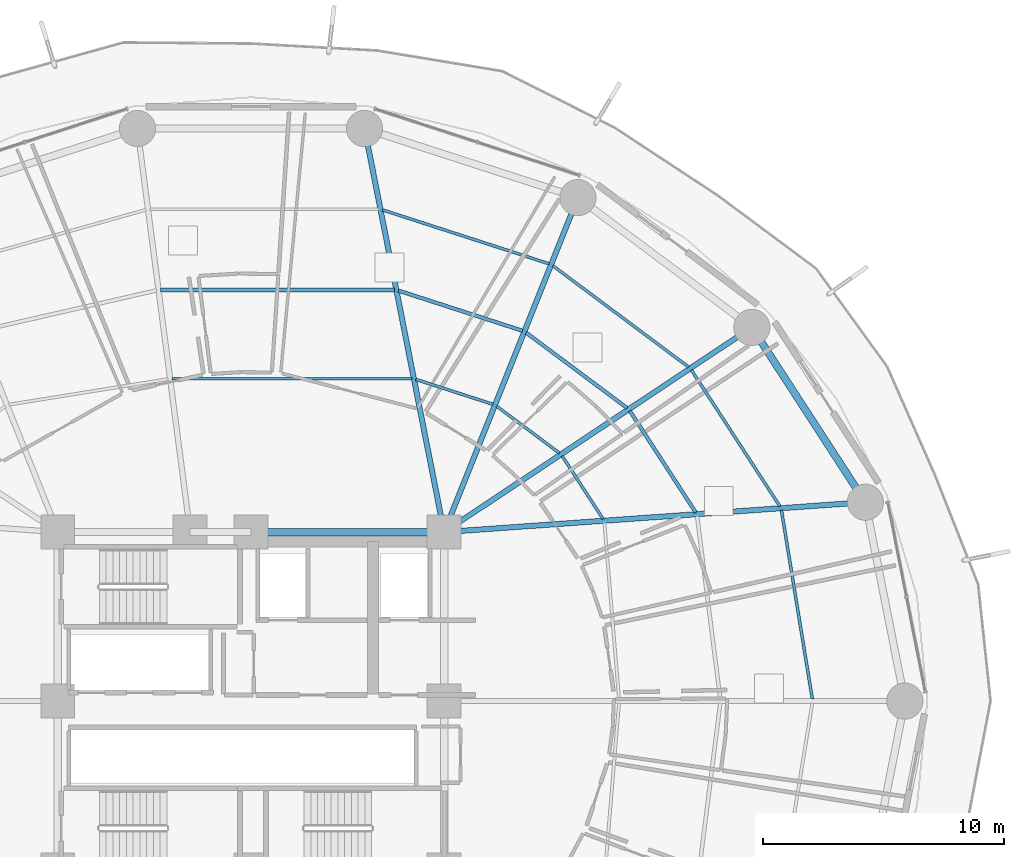
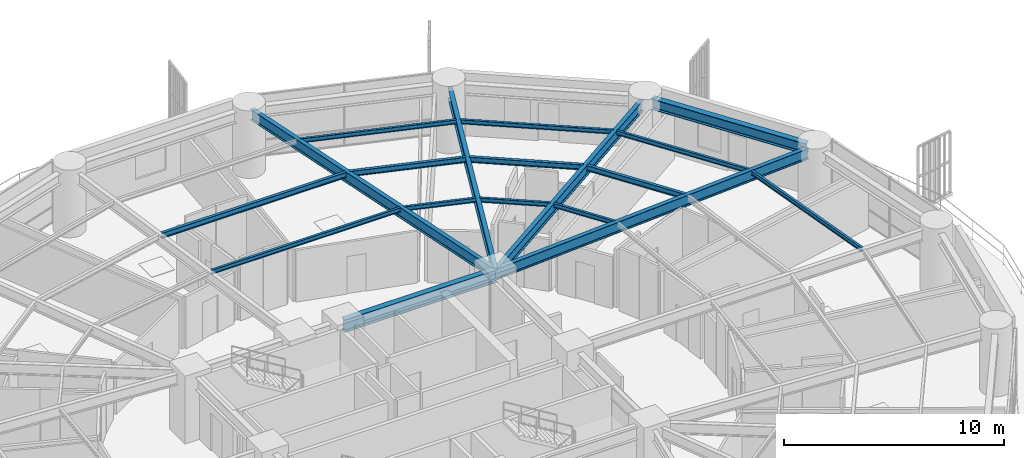
# One storey, part 19 of 34: 18 beams.
"""IFC4 building model written with IfcOpenShell, lengths in metres."""

from ifc_helpers import new_model, si_unit, direction, frame, origin, origin_2d, place, context, subcontext, project, spatial, i_section, extrude, material, material_profile, profile_set, type_object, element, save


model = new_model("IFC4")

# Units and contexts
model_context = context("Model", 3, precision=1e-05, world=origin(), true_north=direction((0.0, 1.0)))
body_context = subcontext(model_context, "Body", "Model", "MODEL_VIEW")
ifc_project = project(units=[si_unit("LENGTHUNIT", "METRE"), si_unit("AREAUNIT", "SQUARE_METRE"), si_unit("VOLUMEUNIT", "CUBIC_METRE"), si_unit("PLANEANGLEUNIT", "RADIAN"), si_unit("MASSUNIT", "GRAM", prefix="KILO")], contexts=[model_context])

# Site, building, storey
site_placement = place(None, origin())
site = spatial("IfcSite", under=ifc_project, at=site_placement, CompositionType="ELEMENT")
building_placement = place(site_placement, origin())
building = spatial("IfcBuilding", under=site, at=building_placement, Name="Kelanora Arch Commons", CompositionType="ELEMENT")
storey_placement = place(building_placement, frame((0.0, 0.0, 33.75)))
storey = spatial("IfcBuildingStorey", under=building, at=storey_placement, Name="L08", CompositionType="ELEMENT", Elevation=33.75)

# Beams
ifc_material = material(Name="Steel S355", Category="steel")
ifc_material_profile_1 = material_profile(ifc_material, i_section(OverallWidth=0.300048828125, OverallDepth=0.699951171875, WebThickness=0.01708984375, FlangeThickness=0.031982421875, FilletRadius=0.027099609375, at=origin_2d()), Name="HEB700")
ifc_profile_set_1 = profile_set([ifc_material_profile_1], Name="Steel S355")
beam_type_1 = type_object("IfcBeamType", Name="BM-CORE-HDR", PredefinedType="BEAM", material=ifc_profile_set_1)
beam_1_placement = place(storey_placement, frame((82.0, 65.0, 3.139892578125), z_axis=(-1.0, 0.0, 0.0), x_axis=(0.0, -1.0, 0.0)))
element("IfcBeam", 1, at=beam_1_placement, inside=storey, type_object=beam_type_1, Name="Core Header Beam 05 L08", PredefinedType="BEAM", context=body_context, shape_type="SweptSolid", body=[
    extrude(i_section(OverallWidth=0.300048828125, OverallDepth=0.699951171875, WebThickness=0.01708984375, FlangeThickness=0.031982421875, FilletRadius=0.027099609375, at=origin_2d()), origin(), (0.0, 0.0, 1.0), 8.0),
])
ifc_material_profile_2 = material_profile(ifc_material, i_section(OverallWidth=0.14990234375, OverallDepth=0.300048828125, WebThickness=0.007080078125, FlangeThickness=0.0107421875, FilletRadius=0.014892578125, at=origin_2d()), Name="IPE300")
ifc_profile_set_2 = profile_set([ifc_material_profile_2], Name="Steel S355")
beam_type_2 = type_object("IfcBeamType", Name="BM-JST-01", PredefinedType="JOIST", material=ifc_profile_set_2)
beam_2_placement = place(storey_placement, frame((92.421875, 65.812744140625, 3.340087890625), z_axis=(-0.544551588245, 0.838727350061, 0.0), x_axis=(-0.838727350061, -0.544551588245, 0.0)))
element("IfcBeam", 2, at=beam_2_placement, inside=storey, type_object=beam_type_2, Name="Secondary Chord Joist BJB-02 L08", PredefinedType="JOIST", context=body_context, shape_type="SweptSolid", body=[
    extrude(i_section(OverallWidth=0.14990234375, OverallDepth=0.300048828125, WebThickness=0.007080078125, FlangeThickness=0.0107421875, FilletRadius=0.014892578125, at=origin_2d()), origin(), (0.0, 0.0, 1.0), 5.010986328125),
])
beam_3_placement = place(storey_placement, frame((89.57861328125, 70.1376953125, 3.340087890625), z_axis=(-0.801478251559, 0.598023922831, 0.0), x_axis=(-0.598023922831, -0.801478251559, 0.0)))
element("IfcBeam", 3, at=beam_3_placement, inside=storey, type_object=beam_type_2, Name="Secondary Chord Joist BJB-04 L08", PredefinedType="JOIST", context=body_context, shape_type="SweptSolid", body=[
    extrude(i_section(OverallWidth=0.14990234375, OverallDepth=0.300048828125, WebThickness=0.007080078125, FlangeThickness=0.0107421875, FilletRadius=0.014892578125, at=origin_2d()), origin(), (0.0, 0.0, 1.0), 5.223388671875),
])
beam_4_placement = place(storey_placement, frame((85.2431640625, 73.33837890625, 3.340087890625), z_axis=(-0.951412209627, 0.307920131482, 0.0), x_axis=(-0.307920131482, -0.951412209627, 0.0)))
element("IfcBeam", 4, at=beam_4_placement, inside=storey, type_object=beam_type_2, Name="Secondary Chord Joist BJB-06 L08", PredefinedType="JOIST", context=body_context, shape_type="SweptSolid", body=[
    extrude(i_section(OverallWidth=0.14990234375, OverallDepth=0.300048828125, WebThickness=0.007080078125, FlangeThickness=0.0107421875, FilletRadius=0.014892578125, at=origin_2d()), origin(), (0.0, 0.0, 1.0), 5.4033203125),
])
beam_5_placement = place(storey_placement, frame((79.936279296875, 75.028564453125, 3.340087890625), z_axis=(-1.0, 0.0, 0.0), x_axis=(0.0, -1.0, 0.0)))
element("IfcBeam", 5, at=beam_5_placement, inside=storey, type_object=beam_type_2, Name="Secondary Chord Joist BJB-08 L08", PredefinedType="JOIST", context=body_context, shape_type="SweptSolid", body=[
    extrude(i_section(OverallWidth=0.14990234375, OverallDepth=0.300048828125, WebThickness=0.007080078125, FlangeThickness=0.0107421875, FilletRadius=0.014892578125, at=origin_2d()), origin(), (0.0, 0.0, 1.0), 9.6806640625),
])
ifc_material_profile_3 = material_profile(ifc_material, i_section(OverallWidth=0.1201171875, OverallDepth=0.239990234375, WebThickness=0.006103515625, FlangeThickness=0.009765625, FilletRadius=0.014892578125, at=origin_2d()), Name="IPE240")
ifc_profile_set_3 = profile_set([ifc_material_profile_3], Name="Steel S355")
beam_type_3 = type_object("IfcBeamType", Name="BM-JST-02", PredefinedType="JOIST", material=ifc_profile_set_3)
beam_6_placement = place(storey_placement, frame((97.250244140625, 58.083984375, 3.3701171875), z_axis=(-0.161400737199, 0.986888951216, 0.0), x_axis=(-0.986888951216, -0.161400737199, 0.0)))
element("IfcBeam", 6, at=beam_6_placement, inside=storey, type_object=beam_type_3, Name="Secondary Chord Joist BJC-00 L08", PredefinedType="JOIST", context=body_context, shape_type="SweptSolid", body=[
    extrude(i_section(OverallWidth=0.1201171875, OverallDepth=0.239990234375, WebThickness=0.006103515625, FlangeThickness=0.009765625, FilletRadius=0.014892578125, at=origin_2d()), origin(), (0.0, 0.0, 1.0), 7.9248046875),
])
beam_7_placement = place(storey_placement, frame((88.58349609375, 65.541015625, 3.3701171875), z_axis=(-0.544591105858, 0.838701691557, 0.0), x_axis=(-0.838701691557, -0.544591105858, 0.0)))
element("IfcBeam", 7, at=beam_7_placement, inside=storey, type_object=beam_type_3, Name="Secondary Chord Joist BJA-02 L08", PredefinedType="JOIST", context=body_context, shape_type="SweptSolid", body=[
    extrude(i_section(OverallWidth=0.1201171875, OverallDepth=0.239990234375, WebThickness=0.006103515625, FlangeThickness=0.009765625, FilletRadius=0.014892578125, at=origin_2d()), origin(), (0.0, 0.0, 1.0), 3.111328125),
])
beam_8_placement = place(storey_placement, frame((95.9111328125, 66.059814453125, 3.3701171875), z_axis=(-0.544550165372, 0.838728273873, 0.0), x_axis=(-0.838728273873, -0.544550165372, 0.0)))
element("IfcBeam", 8, at=beam_8_placement, inside=storey, type_object=beam_type_3, Name="Secondary Chord Joist BJC-02 L08", PredefinedType="JOIST", context=body_context, shape_type="SweptSolid", body=[
    extrude(i_section(OverallWidth=0.1201171875, OverallDepth=0.239990234375, WebThickness=0.006103515625, FlangeThickness=0.009765625, FilletRadius=0.014892578125, at=origin_2d()), origin(), (0.0, 0.0, 1.0), 6.738037109375),
])
beam_9_placement = place(storey_placement, frame((86.77490234375, 68.272705078125, 3.3701171875), z_axis=(-0.801513822608, 0.59797624716, 0.0), x_axis=(-0.59797624716, -0.801513822608, 0.0)))
element("IfcBeam", 9, at=beam_9_placement, inside=storey, type_object=beam_type_3, Name="Secondary Chord Joist BJA-04 L08", PredefinedType="JOIST", context=body_context, shape_type="SweptSolid", body=[
    extrude(i_section(OverallWidth=0.1201171875, OverallDepth=0.239990234375, WebThickness=0.006103515625, FlangeThickness=0.009765625, FilletRadius=0.014892578125, at=origin_2d()), origin(), (0.0, 0.0, 1.0), 3.245849609375),
])
beam_10_placement = place(storey_placement, frame((92.12744140625, 71.83349609375, 3.3701171875), z_axis=(-0.80149131963, 0.598006408459, 0.0), x_axis=(-0.598006408459, -0.80149131963, 0.0)))
element("IfcBeam", 10, at=beam_10_placement, inside=storey, type_object=beam_type_3, Name="Secondary Chord Joist BJC-04 L08", PredefinedType="JOIST", context=body_context, shape_type="SweptSolid", body=[
    extrude(i_section(OverallWidth=0.1201171875, OverallDepth=0.239990234375, WebThickness=0.006103515625, FlangeThickness=0.009765625, FilletRadius=0.014892578125, at=origin_2d()), origin(), (0.0, 0.0, 1.0), 7.021240234375),
])
beam_11_placement = place(storey_placement, frame((84.0244140625, 70.290771484375, 3.3701171875), z_axis=(-0.951422608074, 0.30788800049, 0.0), x_axis=(-0.30788800049, -0.951422608074, 0.0)))
element("IfcBeam", 11, at=beam_11_placement, inside=storey, type_object=beam_type_3, Name="Secondary Chord Joist BJA-06 L08", PredefinedType="JOIST", context=body_context, shape_type="SweptSolid", body=[
    extrude(i_section(OverallWidth=0.1201171875, OverallDepth=0.239990234375, WebThickness=0.006103515625, FlangeThickness=0.009765625, FilletRadius=0.014892578125, at=origin_2d()), origin(), (0.0, 0.0, 1.0), 3.359619140625),
])
beam_12_placement = place(storey_placement, frame((86.35107421875, 76.109375, 3.3701171875), z_axis=(-0.951410915705, 0.307924129418, 0.0), x_axis=(-0.307924129418, -0.951410915705, 0.0)))
element("IfcBeam", 12, at=beam_12_placement, inside=storey, type_object=beam_type_3, Name="Secondary Chord Joist BJC-06 L08", PredefinedType="JOIST", context=body_context, shape_type="SweptSolid", body=[
    extrude(i_section(OverallWidth=0.1201171875, OverallDepth=0.239990234375, WebThickness=0.006103515625, FlangeThickness=0.009765625, FilletRadius=0.014892578125, at=origin_2d()), origin(), (0.0, 0.0, 1.0), 7.260986328125),
])
beam_13_placement = place(storey_placement, frame((80.661865234375, 71.351318359375, 3.3701171875), z_axis=(-1.0, 0.0, 0.0), x_axis=(0.0, -1.0, 0.0)))
element("IfcBeam", 13, at=beam_13_placement, inside=storey, type_object=beam_type_3, Name="Secondary Chord Joist BJA-08 L08", PredefinedType="JOIST", context=body_context, shape_type="SweptSolid", body=[
    extrude(i_section(OverallWidth=0.1201171875, OverallDepth=0.239990234375, WebThickness=0.006103515625, FlangeThickness=0.009765625, FilletRadius=0.014892578125, at=origin_2d()), origin(), (0.0, 0.0, 1.0), 9.92626953125),
])
ifc_material_profile_4 = material_profile(ifc_material, i_section(OverallWidth=0.219970703125, OverallDepth=0.60009765625, WebThickness=0.011962890625, FlangeThickness=0.01904296875, FilletRadius=0.02392578125, at=origin_2d()), Name="IPE600")
ifc_profile_set_4 = profile_set([ifc_material_profile_4], Name="Steel S355")
beam_type_4 = type_object("IfcBeamType", Name="BM-RAD-Z1", PredefinedType="BEAM", material=ifc_profile_set_4)
beam_14_placement = place(storey_placement, frame((82.0, 65.0, 3.18994140625), z_axis=(0.997500678462, 0.070656892572, 0.0), x_axis=(-0.070656892572, 0.997500678462, 0.0)))
element("IfcBeam", 14, at=beam_14_placement, inside=storey, type_object=beam_type_4, Name="Radial Floor Girder BR-02 L08", PredefinedType="BEAM", context=body_context, shape_type="SweptSolid", body=[
    extrude(i_section(OverallWidth=0.219970703125, OverallDepth=0.60009765625, WebThickness=0.011962890625, FlangeThickness=0.01904296875, FilletRadius=0.02392578125, at=origin_2d()), origin(), (0.0, 0.0, 1.0), 17.110595703125),
])
beam_15_placement = place(storey_placement, frame((82.0, 65.0, 3.18994140625), z_axis=(0.832590897434, 0.553888434173, 0.0), x_axis=(-0.553888434173, 0.832590897434, 0.0)))
element("IfcBeam", 15, at=beam_15_placement, inside=storey, type_object=beam_type_4, Name="Radial Floor Girder BR-04 L08", PredefinedType="BEAM", context=body_context, shape_type="SweptSolid", body=[
    extrude(i_section(OverallWidth=0.219970703125, OverallDepth=0.60009765625, WebThickness=0.011962890625, FlangeThickness=0.01904296875, FilletRadius=0.02392578125, at=origin_2d()), origin(), (0.0, 0.0, 1.0), 14.9267578125),
])
beam_16_placement = place(storey_placement, frame((82.0, 65.0, 3.18994140625), z_axis=(0.37129803903, 0.928513740454, 0.0), x_axis=(-0.928513740454, 0.37129803903, 0.0)))
element("IfcBeam", 16, at=beam_16_placement, inside=storey, type_object=beam_type_4, Name="Radial Floor Girder BR-06 L08", PredefinedType="BEAM", context=body_context, shape_type="SweptSolid", body=[
    extrude(i_section(OverallWidth=0.219970703125, OverallDepth=0.60009765625, WebThickness=0.011962890625, FlangeThickness=0.01904296875, FilletRadius=0.02392578125, at=origin_2d()), origin(), (0.0, 0.0, 1.0), 14.540771484375),
])
beam_17_placement = place(storey_placement, frame((82.0, 65.0, 3.18994140625), z_axis=(-0.193555256292, 0.981089375522, 0.0), x_axis=(-0.981089375522, -0.193555256292, 0.0)))
element("IfcBeam", 17, at=beam_17_placement, inside=storey, type_object=beam_type_4, Name="Radial Floor Girder BR-08 L08", PredefinedType="BEAM", context=body_context, shape_type="SweptSolid", body=[
    extrude(i_section(OverallWidth=0.219970703125, OverallDepth=0.60009765625, WebThickness=0.011962890625, FlangeThickness=0.01904296875, FilletRadius=0.02392578125, at=origin_2d()), origin(), (0.0, 0.0, 1.0), 16.81640625),
])
ifc_material_profile_5 = material_profile(ifc_material, i_section(OverallWidth=0.300048828125, OverallDepth=0.60009765625, WebThickness=0.015380859375, FlangeThickness=0.030029296875, FilletRadius=0.027099609375, at=origin_2d()), Name="HEB600")
ifc_profile_set_5 = profile_set([ifc_material_profile_5], Name="Steel S355")
beam_type_5 = type_object("IfcBeamType", Name="BM-SPN-Z1", PredefinedType="SPANDREL", material=ifc_profile_set_5)
beam_18_placement = place(storey_placement, frame((99.239990234375, 66.554443359375, 3.18994140625), z_axis=(-0.54455786519, 0.838723274662, 0.0), x_axis=(-0.838723274662, -0.54455786519, 0.0)))
element("IfcBeam", 18, at=beam_18_placement, inside=storey, type_object=beam_type_5, Name="Perimeter Spandrel Beam BS-02 L08", PredefinedType="SPANDREL", context=body_context, shape_type="SweptSolid", body=[
    extrude(i_section(OverallWidth=0.300048828125, OverallDepth=0.60009765625, WebThickness=0.015380859375, FlangeThickness=0.030029296875, FilletRadius=0.027099609375, at=origin_2d()), origin(), (0.0, 0.0, 1.0), 7.875244140625),
])

save(model, "model.ifc")
